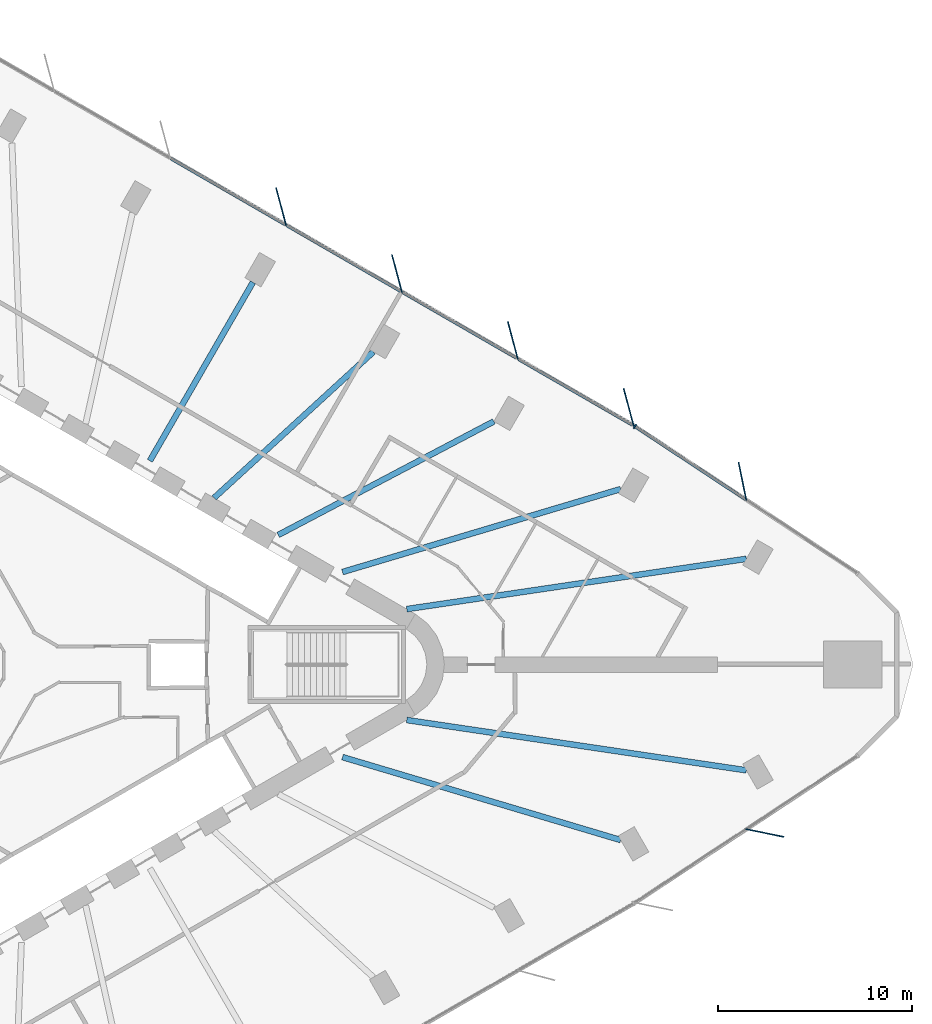
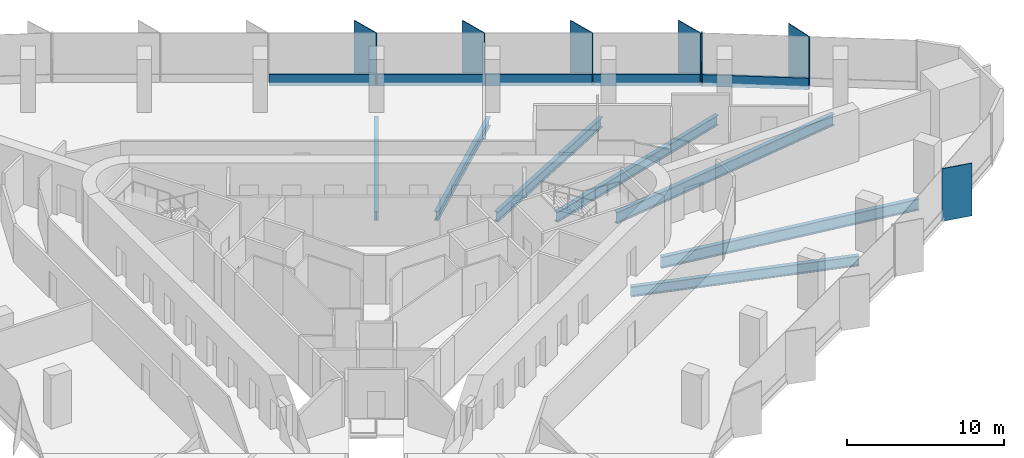
# One storey, part 5 of 14: 12 members, 7 beams, 3 elements without a shape of their own.
"""IFC4 building model written with IfcOpenShell, lengths in metres."""

from ifc_helpers import new_model, si_unit, direction, frame, origin, origin_2d, place, context, subcontext, project, spatial, rectangle, i_section, extrude, material, material_profile, profile_set, type_object, element, aggregate, save


model = new_model("IFC4")

# Units and contexts
model_context = context("Model", 3, precision=1e-05, world=origin(), true_north=direction((0.0, 1.0)))
body_context = subcontext(model_context, "Body", "Model", "MODEL_VIEW")
ifc_project = project(units=[si_unit("LENGTHUNIT", "METRE"), si_unit("AREAUNIT", "SQUARE_METRE"), si_unit("VOLUMEUNIT", "CUBIC_METRE"), si_unit("PLANEANGLEUNIT", "RADIAN"), si_unit("MASSUNIT", "GRAM", prefix="KILO")], contexts=[model_context])

# Site, building, storey
site_placement = place(None, origin())
site = spatial("IfcSite", under=ifc_project, at=site_placement, CompositionType="ELEMENT")
building_placement = place(site_placement, origin())
building = spatial("IfcBuilding", under=site, at=building_placement, Name="Tanit Gate Tower", CompositionType="ELEMENT")
storey_placement = place(building_placement, frame((0.0, 0.0, 49.60009765625)))
storey = spatial("IfcBuildingStorey", under=building, at=storey_placement, Name="L08", CompositionType="ELEMENT", Elevation=49.60009765625)

# Curtain wall, member
ifc_material_1 = material(Name="Aluminium bronze anodised and glass", Category="aluminium")
curtain_wall_type = type_object("IfcCurtainWallType", Name="Curtain wall typical low", PredefinedType="NOTDEFINED", material=ifc_material_1)
curtain_wall_1_placement = place(storey_placement, origin())
curtain_wall_1 = element("IfcCurtainWall", 1, at=curtain_wall_1_placement, inside=storey, type_object=curtain_wall_type, Name="Curtain wall L08 NE1", PredefinedType="NOTDEFINED")
ifc_material_2 = material(Name="Aluminium bronze anodised", Category="aluminium")
ifc_material_profile_1 = material_profile(ifc_material_2, rectangle(XDim=2.0, YDim=0.055908203125, at=origin_2d()), Name="56x2000 bronze fin mullion")
ifc_profile_set_1 = profile_set([ifc_material_profile_1], Name="Aluminium bronze anodised")
member_type_1 = type_object("IfcMemberType", Name="FIN MULLION 56x2000 bronze", PredefinedType="MULLION", material=ifc_profile_set_1)
member_1_placement = place(storey_placement, frame((36.531982421875, 9.425048828125, -0.300048828125), z_axis=(0.0, 0.0, 1.0), x_axis=(0.200582168819, -0.979676882218, 0.0)))
member_1 = element("IfcMember", 2, at=member_1_placement, type_object=member_type_1, Name="Fin mullion L08 NE1.2", PredefinedType="MULLION", context=body_context, shape_type="SweptSolid", body=[
    extrude(rectangle(XDim=2.0, YDim=0.055908203125, at=origin_2d()), origin(), (0.0, 0.0, 1.0), 4.099853515625),
])

# Curtain wall, members
curtain_wall_2_placement = place(storey_placement, origin())
curtain_wall_2 = element("IfcCurtainWall", 3, at=curtain_wall_2_placement, inside=storey, type_object=curtain_wall_type, Name="Curtain wall L08 NE2", PredefinedType="NOTDEFINED")
member_2_placement = place(storey_placement, frame((30.68115234375, 13.233154296875, -0.300048828125), z_axis=(0.0, 0.0, 1.0), x_axis=(0.258886020591, -0.965907877772, 0.0)))
member_2 = element("IfcMember", 4, at=member_2_placement, type_object=member_type_1, Name="Fin mullion L08 NE2.1", PredefinedType="MULLION", context=body_context, shape_type="SweptSolid", body=[
    extrude(rectangle(XDim=2.0, YDim=0.055908203125, at=origin_2d()), origin(), (0.0, 0.0, 1.0), 4.099853515625),
])
member_3_placement = place(storey_placement, frame((24.72119140625, 16.673583984375, -0.300048828125), z_axis=(0.0, 0.0, 1.0), x_axis=(0.258886020591, -0.965907877772, 0.0)))
member_3 = element("IfcMember", 5, at=member_3_placement, type_object=member_type_1, Name="Fin mullion L08 NE2.2", PredefinedType="MULLION", context=body_context, shape_type="SweptSolid", body=[
    extrude(rectangle(XDim=2.0, YDim=0.055908203125, at=origin_2d()), origin(), (0.0, 0.0, 1.0), 4.099853515625),
])
member_4_placement = place(storey_placement, frame((18.76123046875, 20.114013671875, -0.300048828125), z_axis=(0.0, 0.0, 1.0), x_axis=(0.258886020591, -0.965907877772, 0.0)))
member_4 = element("IfcMember", 6, at=member_4_placement, type_object=member_type_1, Name="Fin mullion L08 NE2.3", PredefinedType="MULLION", context=body_context, shape_type="SweptSolid", body=[
    extrude(rectangle(XDim=2.0, YDim=0.055908203125, at=origin_2d()), origin(), (0.0, 0.0, 1.0), 4.099853515625),
])
member_5_placement = place(storey_placement, frame((12.80126953125, 23.5546875, -0.300048828125), z_axis=(0.0, 0.0, 1.0), x_axis=(0.258886020591, -0.965907877772, 0.0)))
member_5 = element("IfcMember", 7, at=member_5_placement, type_object=member_type_1, Name="Fin mullion L08 NE2.4", PredefinedType="MULLION", context=body_context, shape_type="SweptSolid", body=[
    extrude(rectangle(XDim=2.0, YDim=0.055908203125, at=origin_2d()), origin(), (0.0, 0.0, 1.0), 4.099853515625),
])

# Curtain wall, member
curtain_wall_3_placement = place(storey_placement, origin())
curtain_wall_3 = element("IfcCurtainWall", 8, at=curtain_wall_3_placement, inside=storey, type_object=curtain_wall_type, Name="Curtain wall L08 SE3", PredefinedType="NOTDEFINED")
member_6_placement = place(storey_placement, frame((37.684814453125, -8.66259765625, -0.300048828125), z_axis=(0.0, 0.0, 1.0), x_axis=(-0.979635285566, 0.200785226732, 0.0)))
member_6 = element("IfcMember", 9, at=member_6_placement, type_object=member_type_1, Name="Fin mullion L08 SE3.2", PredefinedType="MULLION", context=body_context, shape_type="SweptSolid", body=[
    extrude(rectangle(XDim=2.0, YDim=0.055908203125, at=origin_2d()), origin(), (0.0, 0.0, 1.0), 4.099853515625),
])
aggregate(curtain_wall_3, [member_6])

# Member
ifc_material_3 = material(Name="Aluminium bronze anodised", Category="aluminium")
ifc_material_profile_2 = material_profile(ifc_material_3, rectangle(XDim=0.239990234375, YDim=0.080078125, at=origin_2d()), Name="80x240 bronze mullion")
ifc_profile_set_2 = profile_set([ifc_material_profile_2], Name="Aluminium bronze anodised")
member_type_2 = type_object("IfcMemberType", Name="Mullion 80x240 typical low", PredefinedType="MULLION", material=ifc_profile_set_2)
member_7_placement = place(storey_placement, frame((31.002197265625, 12.2470703125, -0.300048828125), z_axis=(0.0, 0.0, 1.0), x_axis=(-0.550903155031, -0.834569178545, 0.0)))
member_7 = element("IfcMember", 10, at=member_7_placement, type_object=member_type_2, Name="Mullion L08 NE1.3", PredefinedType="MULLION", context=body_context, shape_type="SweptSolid", body=[
    extrude(rectangle(XDim=0.239990234375, YDim=0.080078125, at=origin_2d()), origin(), (0.0, 0.0, 1.0), 4.099853515625),
])

# Beams
ifc_material_4 = material(Name="Steel S355", Category="steel")
ifc_material_profile_3 = material_profile(ifc_material_4, i_section(OverallWidth=0.300048828125, OverallDepth=0.68994140625, WebThickness=0.014404296875, FlangeThickness=0.027099609375, FilletRadius=0.027099609375, at=origin_2d()), Name="HEA 700")
ifc_profile_set_3 = profile_set([ifc_material_profile_3], Name="Steel S355")
beam_type_1 = type_object("IfcBeamType", Name="RADIAL GIRDER HEA 700 S355", PredefinedType="BEAM", material=ifc_profile_set_3)
beam_1_placement = place(storey_placement, frame((17.548095703125, 16.084228515625, -0.64501953125), z_axis=(-0.737176932587, -0.675699763254, 0.0), x_axis=(0.675699763254, -0.737176932587, 0.0)))
element("IfcBeam", 11, at=beam_1_placement, inside=storey, type_object=beam_type_1, Name="RADIAL GIRDER", PredefinedType="BEAM", context=body_context, shape_type="SweptSolid", body=[
    extrude(i_section(OverallWidth=0.300048828125, OverallDepth=0.68994140625, WebThickness=0.014404296875, FlangeThickness=0.027099609375, FilletRadius=0.027099609375, at=origin_2d()), origin(), (0.0, 0.0, 1.0), 11.115478515625),
])
beam_2_placement = place(storey_placement, frame((11.351806640625, 19.661865234375, -0.64501953125), z_axis=(-0.500002863238, -0.866023750687, 0.0), x_axis=(0.866023750687, -0.500002863238, 0.0)))
element("IfcBeam", 12, at=beam_2_placement, inside=storey, type_object=beam_type_1, Name="RADIAL GIRDER", PredefinedType="BEAM", context=body_context, shape_type="SweptSolid", body=[
    extrude(i_section(OverallWidth=0.300048828125, OverallDepth=0.68994140625, WebThickness=0.014404296875, FlangeThickness=0.027099609375, FilletRadius=0.027099609375, at=origin_2d()), origin(), (0.0, 0.0, 1.0), 10.6015625),
])
ifc_material_5 = material(Name="Steel S355", Category="steel")
ifc_material_profile_4 = material_profile(ifc_material_5, i_section(OverallWidth=0.300048828125, OverallDepth=0.7900390625, WebThickness=0.014892578125, FlangeThickness=0.028076171875, FilletRadius=0.030029296875, at=origin_2d()), Name="HEA 800")
ifc_profile_set_4 = profile_set([ifc_material_profile_4], Name="Steel S355")
beam_type_2 = type_object("IfcBeamType", Name="RADIAL GIRDER HEA 800 S355", PredefinedType="BEAM", material=ifc_profile_set_4)
for number, where, z_axis, x_axis, name in (
    (13, (30.267578125, -9.026611328125, -0.695068359375), (-0.958292632116, 0.285788787801, 0.0), (-0.285788787801, -0.958292632116, 0.0), "RADIAL GIRDER"),
    (14, (30.267578125, 9.026611328125, -0.695068359375), (-0.958292632116, -0.285788787801, 0.0), (0.285788787801, -0.958292632116, 0.0), "RADIAL GIRDER"),
):
    element("IfcBeam", number, at=place(storey_placement, frame(where, z_axis=z_axis, x_axis=x_axis)), inside=storey, type_object=beam_type_2, Name=name, PredefinedType="BEAM", context=body_context, shape_type="SweptSolid", body=[
        extrude(i_section(OverallWidth=0.300048828125, OverallDepth=0.7900390625, WebThickness=0.014892578125, FlangeThickness=0.028076171875, FilletRadius=0.030029296875, at=origin_2d()), origin(), (0.0, 0.0, 1.0), 14.93017578125),
    ])
beam_3_placement = place(storey_placement, frame((23.74462890625, 12.506591796875, -0.695068359375), z_axis=(-0.884770690276, -0.466026636179, 0.0), x_axis=(0.466026636179, -0.884770690276, 0.0)))
element("IfcBeam", 15, at=beam_3_placement, inside=storey, type_object=beam_type_2, Name="RADIAL GIRDER", PredefinedType="BEAM", context=body_context, shape_type="SweptSolid", body=[
    extrude(i_section(OverallWidth=0.300048828125, OverallDepth=0.7900390625, WebThickness=0.014892578125, FlangeThickness=0.028076171875, FilletRadius=0.030029296875, at=origin_2d()), origin(), (0.0, 0.0, 1.0), 12.53173828125),
])
ifc_material_6 = material(Name="Steel S355", Category="steel")
ifc_material_profile_5 = material_profile(ifc_material_6, i_section(OverallWidth=0.300048828125, OverallDepth=0.889892578125, WebThickness=0.01611328125, FlangeThickness=0.030029296875, FilletRadius=0.030029296875, at=origin_2d()), Name="HEA 900")
ifc_profile_set_5 = profile_set([ifc_material_profile_5], Name="Steel S355")
beam_type_3 = type_object("IfcBeamType", Name="RADIAL GIRDER HEA 900 S355", PredefinedType="BEAM", material=ifc_profile_set_5)
for number, where, z_axis, x_axis, name in (
    (16, (36.731689453125, -5.439697265625, -0.7451171875), (-0.98921177448, 0.146492543254, 0.0), (-0.146492543254, -0.98921177448, 0.0), "RADIAL GIRDER"),
    (17, (36.731689453125, 5.439697265625, -0.7451171875), (-0.98921177448, -0.146492543254, 0.0), (0.146492543254, -0.98921177448, 0.0), "RADIAL GIRDER"),
):
    element("IfcBeam", number, at=place(storey_placement, frame(where, z_axis=z_axis, x_axis=x_axis)), inside=storey, type_object=beam_type_3, Name=name, PredefinedType="BEAM", context=body_context, shape_type="SweptSolid", body=[
        extrude(i_section(OverallWidth=0.300048828125, OverallDepth=0.889892578125, WebThickness=0.01611328125, FlangeThickness=0.030029296875, FilletRadius=0.030029296875, at=origin_2d()), origin(), (0.0, 0.0, 1.0), 17.658935546875),
    ])

# Member
ifc_material_7 = material(Name="Aluminium bronze anodised", Category="aluminium")
ifc_material_profile_6 = material_profile(ifc_material_7, rectangle(XDim=0.159912109375, YDim=0.89990234375, at=origin_2d()), Name="160x900 bronze transom")
ifc_profile_set_6 = profile_set([ifc_material_profile_6], Name="Aluminium bronze anodised")
member_type_3 = type_object("IfcMemberType", Name="Transom 160x900 typical low", PredefinedType="USERDEFINED", material=ifc_profile_set_6)
member_8_placement = place(storey_placement, frame((36.694580078125, 8.489501953125, 0.14990234375), z_axis=(-0.834562062149, 0.550913935585, 0.0), x_axis=(-0.550913935585, -0.834562062149, 0.0)))
member_8 = element("IfcMember", 18, at=member_8_placement, type_object=member_type_3, Name="Transom L08 NE1.2", ObjectType="TRANSOM", PredefinedType="USERDEFINED", context=body_context, shape_type="SweptSolid", body=[
    extrude(rectangle(XDim=0.159912109375, YDim=0.89990234375, at=origin_2d()), origin(), (0.0, 0.0, 1.0), 6.78076171875),
])

aggregate(curtain_wall_1, [member_1, member_7, member_8])

member_9_placement = place(storey_placement, frame((30.899658203125, 12.30908203125, 0.14990234375), z_axis=(-0.866054693437, 0.499949265402, 0.0), x_axis=(-0.499949265402, -0.866054693437, 0.0)))
member_9 = element("IfcMember", 19, at=member_9_placement, type_object=member_type_3, Name="Transom L08 NE2.1", ObjectType="TRANSOM", PredefinedType="USERDEFINED", context=body_context, shape_type="SweptSolid", body=[
    extrude(rectangle(XDim=0.159912109375, YDim=0.89990234375, at=origin_2d()), origin(), (0.0, 0.0, 1.0), 6.802001953125),
])

member_10_placement = place(storey_placement, frame((24.939453125, 15.749755859375, 0.14990234375), z_axis=(-0.866061263272, 0.499937884402, 0.0), x_axis=(-0.499937884402, -0.866061263272, 0.0)))
member_10 = element("IfcMember", 20, at=member_10_placement, type_object=member_type_3, Name="Transom L08 NE2.2", ObjectType="TRANSOM", PredefinedType="USERDEFINED", context=body_context, shape_type="SweptSolid", body=[
    extrude(rectangle(XDim=0.159912109375, YDim=0.89990234375, at=origin_2d()), origin(), (0.0, 0.0, 1.0), 6.801513671875),
])

member_11_placement = place(storey_placement, frame((18.9794921875, 19.190185546875, 0.14990234375), z_axis=(-0.866061263272, 0.499937884402, 0.0), x_axis=(-0.499937884402, -0.866061263272, 0.0)))
member_11 = element("IfcMember", 21, at=member_11_placement, type_object=member_type_3, Name="Transom L08 NE2.3", ObjectType="TRANSOM", PredefinedType="USERDEFINED", context=body_context, shape_type="SweptSolid", body=[
    extrude(rectangle(XDim=0.159912109375, YDim=0.89990234375, at=origin_2d()), origin(), (0.0, 0.0, 1.0), 6.801513671875),
])

member_12_placement = place(storey_placement, frame((13.01953125, 22.630615234375, 0.14990234375), z_axis=(-0.866061263272, 0.499937884402, 0.0), x_axis=(-0.499937884402, -0.866061263272, 0.0)))
member_12 = element("IfcMember", 22, at=member_12_placement, type_object=member_type_3, Name="Transom L08 NE2.4", ObjectType="TRANSOM", PredefinedType="USERDEFINED", context=body_context, shape_type="SweptSolid", body=[
    extrude(rectangle(XDim=0.159912109375, YDim=0.89990234375, at=origin_2d()), origin(), (0.0, 0.0, 1.0), 6.801513671875),
])

aggregate(curtain_wall_2, [member_2, member_3, member_4, member_5, member_9, member_10, member_11, member_12])

save(model, "model.ifc")
